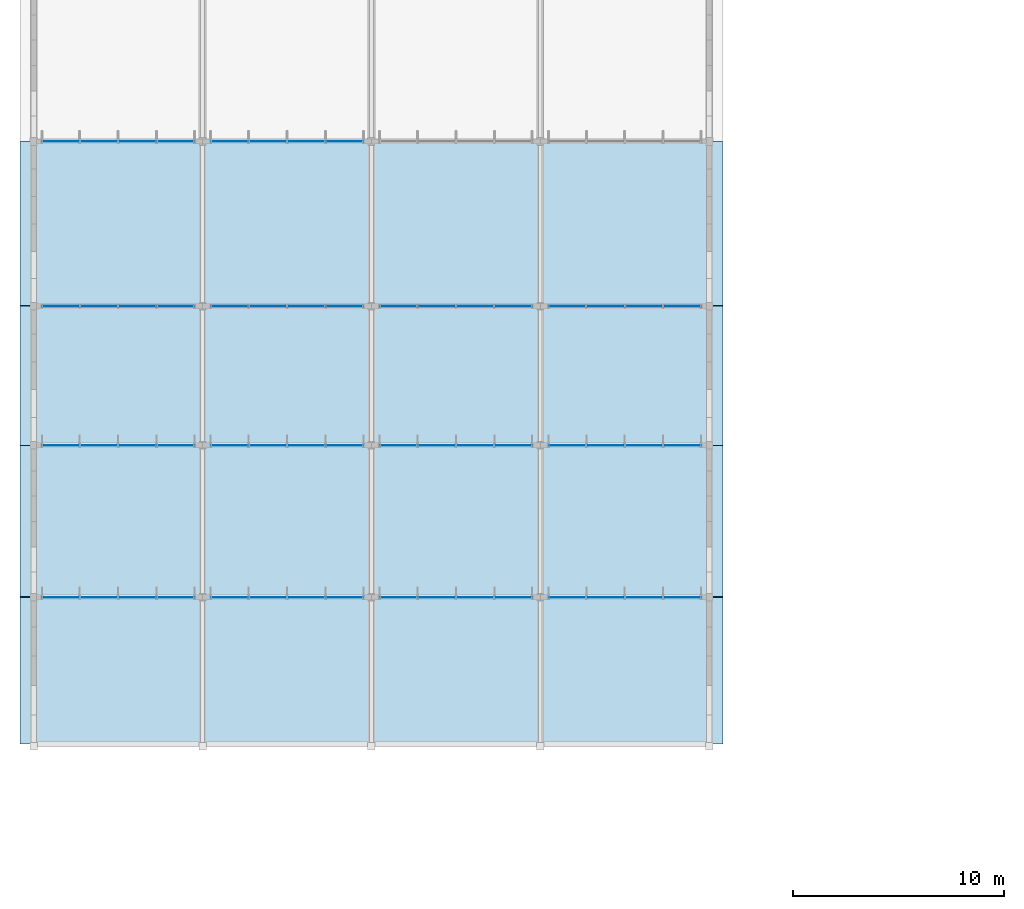
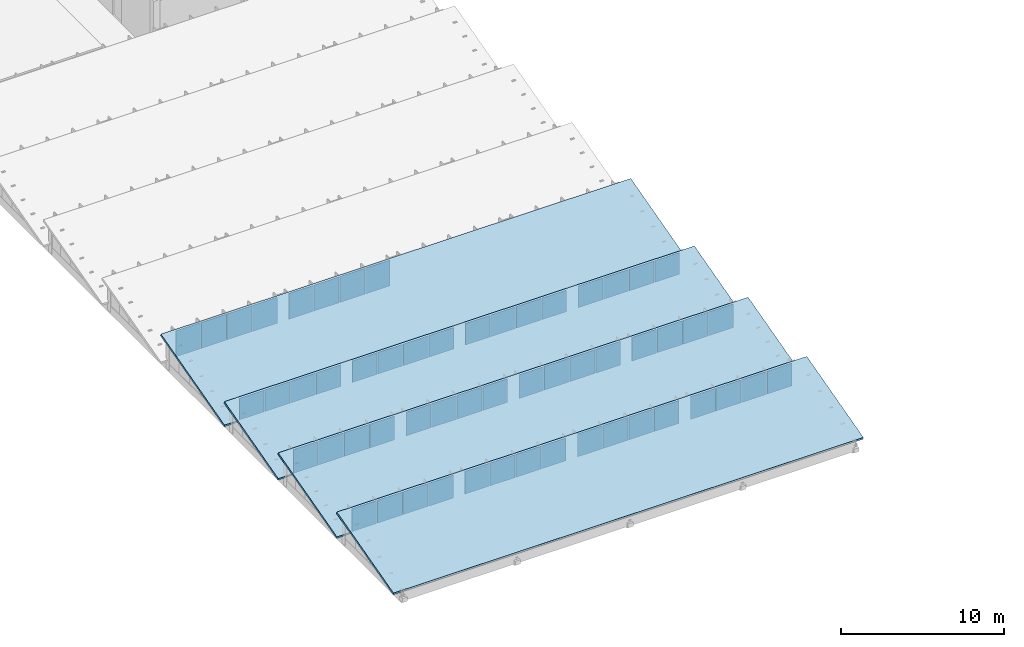
# One storey, part 71 of 94: 56 plates, 4 slabs, 14 elements without a shape of their own.
"""IFC4 building model written with IfcOpenShell, lengths in metres."""

from ifc_helpers import new_model, si_unit, direction, frame, origin, origin_2d, place, context, subcontext, project, spatial, polyline, rectangle, outline, extrude, material, layer, layer_set, type_object, element, aggregate, save


model = new_model("IFC4")

# Units and contexts
model_context = context("Model", 3, precision=1e-05, world=origin(), true_north=direction((0.0, 1.0)))
body_context = subcontext(model_context, "Body", "Model", "MODEL_VIEW")
ifc_project = project(units=[si_unit("LENGTHUNIT", "METRE"), si_unit("AREAUNIT", "SQUARE_METRE"), si_unit("VOLUMEUNIT", "CUBIC_METRE"), si_unit("PLANEANGLEUNIT", "RADIAN"), si_unit("MASSUNIT", "GRAM", prefix="KILO")], contexts=[model_context])

# Site, building, storey
site_placement = place(None, origin())
site = spatial("IfcSite", under=ifc_project, at=site_placement, CompositionType="ELEMENT")
building_placement = place(site_placement, origin())
building = spatial("IfcBuilding", under=site, at=building_placement, Name="Chiffa Square Polytechnic", CompositionType="ELEMENT")
storey_placement = place(building_placement, frame((0.0, 0.0, 18.0)))
storey = spatial("IfcBuildingStorey", under=building, at=storey_placement, Name="L04", CompositionType="ELEMENT", Elevation=18.0)

# Curtain wall, plates
ifc_material_1 = material(Name="Aluminium EN AW-6060 T66 and glulam shading", Category="wood")
curtain_wall_type_1 = type_object("IfcCurtainWallType", Name="CW-VERT-450X380", PredefinedType="USERDEFINED", material=ifc_material_1)
curtain_wall_1_placement = place(storey_placement, origin())
curtain_wall_1 = element("IfcCurtainWall", 1, at=curtain_wall_1_placement, inside=storey, type_object=curtain_wall_type_1, Name="Curtain wall CW-V6-SAW1-1", ObjectType="CURTAIN WALL", PredefinedType="USERDEFINED")
ifc_material_2 = material(Name="Double glazing", Category="glass")
ifc_layer_1 = layer(ifc_material_2, 0.035888671875, Name="Double glazing")
ifc_layer_set_1 = layer_set([ifc_layer_1], Name="Double glazing")
plate_type = type_object("IfcPlateType", Name="CWP-GLZ-150X145", PredefinedType="CURTAIN_PANEL", material=ifc_layer_set_1)
plate_1_placement = place(storey_placement, frame((6.718994140625, 43.800048828125, 0.75), z_axis=(0.0, 0.0, 1.0), x_axis=(-1.0, 0.0, 0.0)))
plate_1 = element("IfcPlate", 2, at=plate_1_placement, type_object=plate_type, Name="Glazed curtain panel CW-V6-SAW1-1-PN01", PredefinedType="CURTAIN_PANEL", context=body_context, shape_type="SweptSolid", body=[
    extrude(rectangle(XDim=1.74609375, YDim=0.035888671875, at=origin_2d()), origin(), (0.0, 0.0, 1.0), 1.7119140625),
])
plate_2_placement = place(storey_placement, frame((4.909912109375, 43.800048828125, 0.75), z_axis=(0.0, 0.0, 1.0), x_axis=(-1.0, 0.0, 0.0)))
plate_2 = element("IfcPlate", 3, at=plate_2_placement, type_object=plate_type, Name="Glazed curtain panel CW-V6-SAW1-1-PN02", PredefinedType="CURTAIN_PANEL", context=body_context, shape_type="SweptSolid", body=[
    extrude(rectangle(XDim=1.76806640625, YDim=0.035888671875, at=origin_2d()), origin(), (0.0, 0.0, 1.0), 1.7119140625),
])
plate_3_placement = place(storey_placement, frame((3.090087890625, 43.800048828125, 0.75), z_axis=(0.0, 0.0, 1.0), x_axis=(-1.0, 0.0, 0.0)))
plate_3 = element("IfcPlate", 4, at=plate_3_placement, type_object=plate_type, Name="Glazed curtain panel CW-V6-SAW1-1-PN03", PredefinedType="CURTAIN_PANEL", context=body_context, shape_type="SweptSolid", body=[
    extrude(rectangle(XDim=1.76806640625, YDim=0.035888671875, at=origin_2d()), origin(), (0.0, 0.0, 1.0), 1.7119140625),
])
plate_4_placement = place(storey_placement, frame((1.281005859375, 43.800048828125, 0.75), z_axis=(0.0, 0.0, 1.0), x_axis=(-1.0, 0.0, 0.0)))
plate_4 = element("IfcPlate", 5, at=plate_4_placement, type_object=plate_type, Name="Glazed curtain panel CW-V6-SAW1-1-PN04", PredefinedType="CURTAIN_PANEL", context=body_context, shape_type="SweptSolid", body=[
    extrude(rectangle(XDim=1.74609375, YDim=0.035888671875, at=origin_2d()), origin(), (0.0, 0.0, 1.0), 1.7119140625),
])
aggregate(curtain_wall_1, [plate_1, plate_2, plate_3, plate_4])

curtain_wall_type_2 = type_object("IfcCurtainWallType", Name="CW-VERT-300X380", PredefinedType="USERDEFINED", material=ifc_material_1)
curtain_wall_2_placement = place(storey_placement, origin())
curtain_wall_2 = element("IfcCurtainWall", 6, at=curtain_wall_2_placement, inside=storey, type_object=curtain_wall_type_2, Name="Curtain wall CW-V6-SAW1-2", ObjectType="CURTAIN WALL", PredefinedType="USERDEFINED")
plate_5_placement = place(storey_placement, frame((14.718994140625, 43.800048828125, 0.75), z_axis=(0.0, 0.0, 1.0), x_axis=(-1.0, 0.0, 0.0)))
plate_5 = element("IfcPlate", 7, at=plate_5_placement, type_object=plate_type, Name="Glazed curtain panel CW-V6-SAW1-2-PN01", PredefinedType="CURTAIN_PANEL", context=body_context, shape_type="SweptSolid", body=[
    extrude(rectangle(XDim=1.74609375, YDim=0.035888671875, at=origin_2d()), origin(), (0.0, 0.0, 1.0), 1.7119140625),
])
plate_6_placement = place(storey_placement, frame((12.909912109375, 43.800048828125, 0.75), z_axis=(0.0, 0.0, 1.0), x_axis=(-1.0, 0.0, 0.0)))
plate_6 = element("IfcPlate", 8, at=plate_6_placement, type_object=plate_type, Name="Glazed curtain panel CW-V6-SAW1-2-PN02", PredefinedType="CURTAIN_PANEL", context=body_context, shape_type="SweptSolid", body=[
    extrude(rectangle(XDim=1.76806640625, YDim=0.035888671875, at=origin_2d()), origin(), (0.0, 0.0, 1.0), 1.7119140625),
])
plate_7_placement = place(storey_placement, frame((11.090087890625, 43.800048828125, 0.75), z_axis=(0.0, 0.0, 1.0), x_axis=(-1.0, 0.0, 0.0)))
plate_7 = element("IfcPlate", 9, at=plate_7_placement, type_object=plate_type, Name="Glazed curtain panel CW-V6-SAW1-2-PN03", PredefinedType="CURTAIN_PANEL", context=body_context, shape_type="SweptSolid", body=[
    extrude(rectangle(XDim=1.76806640625, YDim=0.035888671875, at=origin_2d()), origin(), (0.0, 0.0, 1.0), 1.7119140625),
])
plate_8_placement = place(storey_placement, frame((9.281005859375, 43.800048828125, 0.75), z_axis=(0.0, 0.0, 1.0), x_axis=(-1.0, 0.0, 0.0)))
plate_8 = element("IfcPlate", 10, at=plate_8_placement, type_object=plate_type, Name="Glazed curtain panel CW-V6-SAW1-2-PN04", PredefinedType="CURTAIN_PANEL", context=body_context, shape_type="SweptSolid", body=[
    extrude(rectangle(XDim=1.74609375, YDim=0.035888671875, at=origin_2d()), origin(), (0.0, 0.0, 1.0), 1.7119140625),
])
aggregate(curtain_wall_2, [plate_5, plate_6, plate_7, plate_8])

curtain_wall_type_3 = type_object("IfcCurtainWallType", Name="CW-VERT-600X380", PredefinedType="USERDEFINED", material=ifc_material_1)
curtain_wall_3_placement = place(storey_placement, origin())
curtain_wall_3 = element("IfcCurtainWall", 11, at=curtain_wall_3_placement, inside=storey, type_object=curtain_wall_type_3, Name="Curtain wall CW-V6-SAW1-3", ObjectType="CURTAIN WALL", PredefinedType="USERDEFINED")
plate_9_placement = place(storey_placement, frame((22.718994140625, 43.800048828125, 0.75), z_axis=(0.0, 0.0, 1.0), x_axis=(-1.0, 0.0, 0.0)))
plate_9 = element("IfcPlate", 12, at=plate_9_placement, type_object=plate_type, Name="Glazed curtain panel CW-V6-SAW1-3-PN01", PredefinedType="CURTAIN_PANEL", context=body_context, shape_type="SweptSolid", body=[
    extrude(rectangle(XDim=1.74609375, YDim=0.035888671875, at=origin_2d()), origin(), (0.0, 0.0, 1.0), 1.7119140625),
])
plate_10_placement = place(storey_placement, frame((20.909912109375, 43.800048828125, 0.75), z_axis=(0.0, 0.0, 1.0), x_axis=(-1.0, 0.0, 0.0)))
plate_10 = element("IfcPlate", 13, at=plate_10_placement, type_object=plate_type, Name="Glazed curtain panel CW-V6-SAW1-3-PN02", PredefinedType="CURTAIN_PANEL", context=body_context, shape_type="SweptSolid", body=[
    extrude(rectangle(XDim=1.76806640625, YDim=0.035888671875, at=origin_2d()), origin(), (0.0, 0.0, 1.0), 1.7119140625),
])
plate_11_placement = place(storey_placement, frame((19.090087890625, 43.800048828125, 0.75), z_axis=(0.0, 0.0, 1.0), x_axis=(-1.0, 0.0, 0.0)))
plate_11 = element("IfcPlate", 14, at=plate_11_placement, type_object=plate_type, Name="Glazed curtain panel CW-V6-SAW1-3-PN03", PredefinedType="CURTAIN_PANEL", context=body_context, shape_type="SweptSolid", body=[
    extrude(rectangle(XDim=1.76806640625, YDim=0.035888671875, at=origin_2d()), origin(), (0.0, 0.0, 1.0), 1.7119140625),
])
plate_12_placement = place(storey_placement, frame((17.281005859375, 43.800048828125, 0.75), z_axis=(0.0, 0.0, 1.0), x_axis=(-1.0, 0.0, 0.0)))
plate_12 = element("IfcPlate", 15, at=plate_12_placement, type_object=plate_type, Name="Glazed curtain panel CW-V6-SAW1-3-PN04", PredefinedType="CURTAIN_PANEL", context=body_context, shape_type="SweptSolid", body=[
    extrude(rectangle(XDim=1.74609375, YDim=0.035888671875, at=origin_2d()), origin(), (0.0, 0.0, 1.0), 1.7119140625),
])
aggregate(curtain_wall_3, [plate_9, plate_10, plate_11, plate_12])

curtain_wall_type_4 = type_object("IfcCurtainWallType", Name="CW-VERT-360X380", PredefinedType="USERDEFINED", material=ifc_material_1)
curtain_wall_4_placement = place(storey_placement, origin())
curtain_wall_4 = element("IfcCurtainWall", 16, at=curtain_wall_4_placement, inside=storey, type_object=curtain_wall_type_4, Name="Curtain wall CW-V6-SAW1-4", ObjectType="CURTAIN WALL", PredefinedType="USERDEFINED")
plate_13_placement = place(storey_placement, frame((30.718994140625, 43.800048828125, 0.75), z_axis=(0.0, 0.0, 1.0), x_axis=(-1.0, 0.0, 0.0)))
plate_13 = element("IfcPlate", 17, at=plate_13_placement, type_object=plate_type, Name="Glazed curtain panel CW-V6-SAW1-4-PN01", PredefinedType="CURTAIN_PANEL", context=body_context, shape_type="SweptSolid", body=[
    extrude(rectangle(XDim=1.74609375, YDim=0.035888671875, at=origin_2d()), origin(), (0.0, 0.0, 1.0), 1.7119140625),
])
plate_14_placement = place(storey_placement, frame((28.909912109375, 43.800048828125, 0.75), z_axis=(0.0, 0.0, 1.0), x_axis=(-1.0, 0.0, 0.0)))
plate_14 = element("IfcPlate", 18, at=plate_14_placement, type_object=plate_type, Name="Glazed curtain panel CW-V6-SAW1-4-PN02", PredefinedType="CURTAIN_PANEL", context=body_context, shape_type="SweptSolid", body=[
    extrude(rectangle(XDim=1.76806640625, YDim=0.035888671875, at=origin_2d()), origin(), (0.0, 0.0, 1.0), 1.7119140625),
])
plate_15_placement = place(storey_placement, frame((27.090087890625, 43.800048828125, 0.75), z_axis=(0.0, 0.0, 1.0), x_axis=(-1.0, 0.0, 0.0)))
plate_15 = element("IfcPlate", 19, at=plate_15_placement, type_object=plate_type, Name="Glazed curtain panel CW-V6-SAW1-4-PN03", PredefinedType="CURTAIN_PANEL", context=body_context, shape_type="SweptSolid", body=[
    extrude(rectangle(XDim=1.76806640625, YDim=0.035888671875, at=origin_2d()), origin(), (0.0, 0.0, 1.0), 1.7119140625),
])
plate_16_placement = place(storey_placement, frame((25.281005859375, 43.800048828125, 0.75), z_axis=(0.0, 0.0, 1.0), x_axis=(-1.0, 0.0, 0.0)))
plate_16 = element("IfcPlate", 20, at=plate_16_placement, type_object=plate_type, Name="Glazed curtain panel CW-V6-SAW1-4-PN04", PredefinedType="CURTAIN_PANEL", context=body_context, shape_type="SweptSolid", body=[
    extrude(rectangle(XDim=1.74609375, YDim=0.035888671875, at=origin_2d()), origin(), (0.0, 0.0, 1.0), 1.7119140625),
])
aggregate(curtain_wall_4, [plate_13, plate_14, plate_15, plate_16])

curtain_wall_5_placement = place(storey_placement, origin())
curtain_wall_5 = element("IfcCurtainWall", 21, at=curtain_wall_5_placement, inside=storey, type_object=curtain_wall_type_2, Name="Curtain wall CW-V6-SAW2-1", ObjectType="CURTAIN WALL", PredefinedType="USERDEFINED")
plate_17_placement = place(storey_placement, frame((6.718994140625, 51.0, 0.74951171875), z_axis=(0.0, 0.0, 1.0), x_axis=(-1.0, 0.0, 0.0)))
plate_17 = element("IfcPlate", 22, at=plate_17_placement, type_object=plate_type, Name="Glazed curtain panel CW-V6-SAW2-1-PN01", PredefinedType="CURTAIN_PANEL", context=body_context, shape_type="SweptSolid", body=[
    extrude(rectangle(XDim=1.74609375, YDim=0.035888671875, at=origin_2d()), origin(), (0.0, 0.0, 1.0), 1.779052734375),
])
plate_18_placement = place(storey_placement, frame((4.909912109375, 51.0, 0.74951171875), z_axis=(0.0, 0.0, 1.0), x_axis=(-1.0, 0.0, 0.0)))
plate_18 = element("IfcPlate", 23, at=plate_18_placement, type_object=plate_type, Name="Glazed curtain panel CW-V6-SAW2-1-PN02", PredefinedType="CURTAIN_PANEL", context=body_context, shape_type="SweptSolid", body=[
    extrude(rectangle(XDim=1.76806640625, YDim=0.035888671875, at=origin_2d()), origin(), (0.0, 0.0, 1.0), 1.779052734375),
])
plate_19_placement = place(storey_placement, frame((3.090087890625, 51.0, 0.74951171875), z_axis=(0.0, 0.0, 1.0), x_axis=(-1.0, 0.0, 0.0)))
plate_19 = element("IfcPlate", 24, at=plate_19_placement, type_object=plate_type, Name="Glazed curtain panel CW-V6-SAW2-1-PN03", PredefinedType="CURTAIN_PANEL", context=body_context, shape_type="SweptSolid", body=[
    extrude(rectangle(XDim=1.76806640625, YDim=0.035888671875, at=origin_2d()), origin(), (0.0, 0.0, 1.0), 1.779052734375),
])
plate_20_placement = place(storey_placement, frame((1.281005859375, 51.0, 0.74951171875), z_axis=(0.0, 0.0, 1.0), x_axis=(-1.0, 0.0, 0.0)))
plate_20 = element("IfcPlate", 25, at=plate_20_placement, type_object=plate_type, Name="Glazed curtain panel CW-V6-SAW2-1-PN04", PredefinedType="CURTAIN_PANEL", context=body_context, shape_type="SweptSolid", body=[
    extrude(rectangle(XDim=1.74609375, YDim=0.035888671875, at=origin_2d()), origin(), (0.0, 0.0, 1.0), 1.779052734375),
])
aggregate(curtain_wall_5, [plate_17, plate_18, plate_19, plate_20])

curtain_wall_6_placement = place(storey_placement, origin())
curtain_wall_6 = element("IfcCurtainWall", 26, at=curtain_wall_6_placement, inside=storey, type_object=curtain_wall_type_3, Name="Curtain wall CW-V6-SAW2-2", ObjectType="CURTAIN WALL", PredefinedType="USERDEFINED")
plate_21_placement = place(storey_placement, frame((14.718994140625, 51.0, 0.74951171875), z_axis=(0.0, 0.0, 1.0), x_axis=(-1.0, 0.0, 0.0)))
plate_21 = element("IfcPlate", 27, at=plate_21_placement, type_object=plate_type, Name="Glazed curtain panel CW-V6-SAW2-2-PN01", PredefinedType="CURTAIN_PANEL", context=body_context, shape_type="SweptSolid", body=[
    extrude(rectangle(XDim=1.74609375, YDim=0.035888671875, at=origin_2d()), origin(), (0.0, 0.0, 1.0), 1.779052734375),
])
plate_22_placement = place(storey_placement, frame((12.909912109375, 51.0, 0.74951171875), z_axis=(0.0, 0.0, 1.0), x_axis=(-1.0, 0.0, 0.0)))
plate_22 = element("IfcPlate", 28, at=plate_22_placement, type_object=plate_type, Name="Glazed curtain panel CW-V6-SAW2-2-PN02", PredefinedType="CURTAIN_PANEL", context=body_context, shape_type="SweptSolid", body=[
    extrude(rectangle(XDim=1.76806640625, YDim=0.035888671875, at=origin_2d()), origin(), (0.0, 0.0, 1.0), 1.779052734375),
])
plate_23_placement = place(storey_placement, frame((11.090087890625, 51.0, 0.74951171875), z_axis=(0.0, 0.0, 1.0), x_axis=(-1.0, 0.0, 0.0)))
plate_23 = element("IfcPlate", 29, at=plate_23_placement, type_object=plate_type, Name="Glazed curtain panel CW-V6-SAW2-2-PN03", PredefinedType="CURTAIN_PANEL", context=body_context, shape_type="SweptSolid", body=[
    extrude(rectangle(XDim=1.76806640625, YDim=0.035888671875, at=origin_2d()), origin(), (0.0, 0.0, 1.0), 1.779052734375),
])
plate_24_placement = place(storey_placement, frame((9.281005859375, 51.0, 0.74951171875), z_axis=(0.0, 0.0, 1.0), x_axis=(-1.0, 0.0, 0.0)))
plate_24 = element("IfcPlate", 30, at=plate_24_placement, type_object=plate_type, Name="Glazed curtain panel CW-V6-SAW2-2-PN04", PredefinedType="CURTAIN_PANEL", context=body_context, shape_type="SweptSolid", body=[
    extrude(rectangle(XDim=1.74609375, YDim=0.035888671875, at=origin_2d()), origin(), (0.0, 0.0, 1.0), 1.779052734375),
])
aggregate(curtain_wall_6, [plate_21, plate_22, plate_23, plate_24])

curtain_wall_7_placement = place(storey_placement, origin())
curtain_wall_7 = element("IfcCurtainWall", 31, at=curtain_wall_7_placement, inside=storey, type_object=curtain_wall_type_4, Name="Curtain wall CW-V6-SAW2-3", ObjectType="CURTAIN WALL", PredefinedType="USERDEFINED")
plate_25_placement = place(storey_placement, frame((22.718994140625, 51.0, 0.74951171875), z_axis=(0.0, 0.0, 1.0), x_axis=(-1.0, 0.0, 0.0)))
plate_25 = element("IfcPlate", 32, at=plate_25_placement, type_object=plate_type, Name="Glazed curtain panel CW-V6-SAW2-3-PN01", PredefinedType="CURTAIN_PANEL", context=body_context, shape_type="SweptSolid", body=[
    extrude(rectangle(XDim=1.74609375, YDim=0.035888671875, at=origin_2d()), origin(), (0.0, 0.0, 1.0), 1.779052734375),
])
plate_26_placement = place(storey_placement, frame((20.909912109375, 51.0, 0.74951171875), z_axis=(0.0, 0.0, 1.0), x_axis=(-1.0, 0.0, 0.0)))
plate_26 = element("IfcPlate", 33, at=plate_26_placement, type_object=plate_type, Name="Glazed curtain panel CW-V6-SAW2-3-PN02", PredefinedType="CURTAIN_PANEL", context=body_context, shape_type="SweptSolid", body=[
    extrude(rectangle(XDim=1.76806640625, YDim=0.035888671875, at=origin_2d()), origin(), (0.0, 0.0, 1.0), 1.779052734375),
])
plate_27_placement = place(storey_placement, frame((19.090087890625, 51.0, 0.74951171875), z_axis=(0.0, 0.0, 1.0), x_axis=(-1.0, 0.0, 0.0)))
plate_27 = element("IfcPlate", 34, at=plate_27_placement, type_object=plate_type, Name="Glazed curtain panel CW-V6-SAW2-3-PN03", PredefinedType="CURTAIN_PANEL", context=body_context, shape_type="SweptSolid", body=[
    extrude(rectangle(XDim=1.76806640625, YDim=0.035888671875, at=origin_2d()), origin(), (0.0, 0.0, 1.0), 1.779052734375),
])
plate_28_placement = place(storey_placement, frame((17.281005859375, 51.0, 0.74951171875), z_axis=(0.0, 0.0, 1.0), x_axis=(-1.0, 0.0, 0.0)))
plate_28 = element("IfcPlate", 35, at=plate_28_placement, type_object=plate_type, Name="Glazed curtain panel CW-V6-SAW2-3-PN04", PredefinedType="CURTAIN_PANEL", context=body_context, shape_type="SweptSolid", body=[
    extrude(rectangle(XDim=1.74609375, YDim=0.035888671875, at=origin_2d()), origin(), (0.0, 0.0, 1.0), 1.779052734375),
])
aggregate(curtain_wall_7, [plate_25, plate_26, plate_27, plate_28])

curtain_wall_type_5 = type_object("IfcCurtainWallType", Name="CW-VERT-480X380", PredefinedType="USERDEFINED", material=ifc_material_1)
curtain_wall_8_placement = place(storey_placement, origin())
curtain_wall_8 = element("IfcCurtainWall", 36, at=curtain_wall_8_placement, inside=storey, type_object=curtain_wall_type_5, Name="Curtain wall CW-V6-SAW2-4", ObjectType="CURTAIN WALL", PredefinedType="USERDEFINED")
plate_29_placement = place(storey_placement, frame((30.718994140625, 51.0, 0.74951171875), z_axis=(0.0, 0.0, 1.0), x_axis=(-1.0, 0.0, 0.0)))
plate_29 = element("IfcPlate", 37, at=plate_29_placement, type_object=plate_type, Name="Glazed curtain panel CW-V6-SAW2-4-PN01", PredefinedType="CURTAIN_PANEL", context=body_context, shape_type="SweptSolid", body=[
    extrude(rectangle(XDim=1.74609375, YDim=0.035888671875, at=origin_2d()), origin(), (0.0, 0.0, 1.0), 1.779052734375),
])
plate_30_placement = place(storey_placement, frame((28.909912109375, 51.0, 0.74951171875), z_axis=(0.0, 0.0, 1.0), x_axis=(-1.0, 0.0, 0.0)))
plate_30 = element("IfcPlate", 38, at=plate_30_placement, type_object=plate_type, Name="Glazed curtain panel CW-V6-SAW2-4-PN02", PredefinedType="CURTAIN_PANEL", context=body_context, shape_type="SweptSolid", body=[
    extrude(rectangle(XDim=1.76806640625, YDim=0.035888671875, at=origin_2d()), origin(), (0.0, 0.0, 1.0), 1.779052734375),
])
plate_31_placement = place(storey_placement, frame((27.090087890625, 51.0, 0.74951171875), z_axis=(0.0, 0.0, 1.0), x_axis=(-1.0, 0.0, 0.0)))
plate_31 = element("IfcPlate", 39, at=plate_31_placement, type_object=plate_type, Name="Glazed curtain panel CW-V6-SAW2-4-PN03", PredefinedType="CURTAIN_PANEL", context=body_context, shape_type="SweptSolid", body=[
    extrude(rectangle(XDim=1.76806640625, YDim=0.035888671875, at=origin_2d()), origin(), (0.0, 0.0, 1.0), 1.779052734375),
])
plate_32_placement = place(storey_placement, frame((25.281005859375, 51.0, 0.74951171875), z_axis=(0.0, 0.0, 1.0), x_axis=(-1.0, 0.0, 0.0)))
plate_32 = element("IfcPlate", 40, at=plate_32_placement, type_object=plate_type, Name="Glazed curtain panel CW-V6-SAW2-4-PN04", PredefinedType="CURTAIN_PANEL", context=body_context, shape_type="SweptSolid", body=[
    extrude(rectangle(XDim=1.74609375, YDim=0.035888671875, at=origin_2d()), origin(), (0.0, 0.0, 1.0), 1.779052734375),
])
aggregate(curtain_wall_8, [plate_29, plate_30, plate_31, plate_32])

curtain_wall_9_placement = place(storey_placement, origin())
curtain_wall_9 = element("IfcCurtainWall", 41, at=curtain_wall_9_placement, inside=storey, type_object=curtain_wall_type_3, Name="Curtain wall CW-V6-SAW3-1", ObjectType="CURTAIN WALL", PredefinedType="USERDEFINED")
plate_33_placement = place(storey_placement, frame((6.718994140625, 57.60009765625, 0.75), z_axis=(0.0, 0.0, 1.0), x_axis=(-1.0, 0.0, 0.0)))
plate_33 = element("IfcPlate", 42, at=plate_33_placement, type_object=plate_type, Name="Glazed curtain panel CW-V6-SAW3-1-PN01", PredefinedType="CURTAIN_PANEL", context=body_context, shape_type="SweptSolid", body=[
    extrude(rectangle(XDim=1.74609375, YDim=0.035888671875, at=origin_2d()), origin(), (0.0, 0.0, 1.0), 1.617919921875),
])
plate_34_placement = place(storey_placement, frame((4.909912109375, 57.60009765625, 0.75), z_axis=(0.0, 0.0, 1.0), x_axis=(-1.0, 0.0, 0.0)))
plate_34 = element("IfcPlate", 43, at=plate_34_placement, type_object=plate_type, Name="Glazed curtain panel CW-V6-SAW3-1-PN02", PredefinedType="CURTAIN_PANEL", context=body_context, shape_type="SweptSolid", body=[
    extrude(rectangle(XDim=1.76806640625, YDim=0.035888671875, at=origin_2d()), origin(), (0.0, 0.0, 1.0), 1.617919921875),
])
plate_35_placement = place(storey_placement, frame((3.090087890625, 57.60009765625, 0.75), z_axis=(0.0, 0.0, 1.0), x_axis=(-1.0, 0.0, 0.0)))
plate_35 = element("IfcPlate", 44, at=plate_35_placement, type_object=plate_type, Name="Glazed curtain panel CW-V6-SAW3-1-PN03", PredefinedType="CURTAIN_PANEL", context=body_context, shape_type="SweptSolid", body=[
    extrude(rectangle(XDim=1.76806640625, YDim=0.035888671875, at=origin_2d()), origin(), (0.0, 0.0, 1.0), 1.617919921875),
])
plate_36_placement = place(storey_placement, frame((1.281005859375, 57.60009765625, 0.75), z_axis=(0.0, 0.0, 1.0), x_axis=(-1.0, 0.0, 0.0)))
plate_36 = element("IfcPlate", 45, at=plate_36_placement, type_object=plate_type, Name="Glazed curtain panel CW-V6-SAW3-1-PN04", PredefinedType="CURTAIN_PANEL", context=body_context, shape_type="SweptSolid", body=[
    extrude(rectangle(XDim=1.74609375, YDim=0.035888671875, at=origin_2d()), origin(), (0.0, 0.0, 1.0), 1.617919921875),
])
aggregate(curtain_wall_9, [plate_33, plate_34, plate_35, plate_36])

curtain_wall_10_placement = place(storey_placement, origin())
curtain_wall_10 = element("IfcCurtainWall", 46, at=curtain_wall_10_placement, inside=storey, type_object=curtain_wall_type_4, Name="Curtain wall CW-V6-SAW3-2", ObjectType="CURTAIN WALL", PredefinedType="USERDEFINED")
plate_37_placement = place(storey_placement, frame((14.718994140625, 57.60009765625, 0.75), z_axis=(0.0, 0.0, 1.0), x_axis=(-1.0, 0.0, 0.0)))
plate_37 = element("IfcPlate", 47, at=plate_37_placement, type_object=plate_type, Name="Glazed curtain panel CW-V6-SAW3-2-PN01", PredefinedType="CURTAIN_PANEL", context=body_context, shape_type="SweptSolid", body=[
    extrude(rectangle(XDim=1.74609375, YDim=0.035888671875, at=origin_2d()), origin(), (0.0, 0.0, 1.0), 1.617919921875),
])
plate_38_placement = place(storey_placement, frame((12.909912109375, 57.60009765625, 0.75), z_axis=(0.0, 0.0, 1.0), x_axis=(-1.0, 0.0, 0.0)))
plate_38 = element("IfcPlate", 48, at=plate_38_placement, type_object=plate_type, Name="Glazed curtain panel CW-V6-SAW3-2-PN02", PredefinedType="CURTAIN_PANEL", context=body_context, shape_type="SweptSolid", body=[
    extrude(rectangle(XDim=1.76806640625, YDim=0.035888671875, at=origin_2d()), origin(), (0.0, 0.0, 1.0), 1.617919921875),
])
plate_39_placement = place(storey_placement, frame((11.090087890625, 57.60009765625, 0.75), z_axis=(0.0, 0.0, 1.0), x_axis=(-1.0, 0.0, 0.0)))
plate_39 = element("IfcPlate", 49, at=plate_39_placement, type_object=plate_type, Name="Glazed curtain panel CW-V6-SAW3-2-PN03", PredefinedType="CURTAIN_PANEL", context=body_context, shape_type="SweptSolid", body=[
    extrude(rectangle(XDim=1.76806640625, YDim=0.035888671875, at=origin_2d()), origin(), (0.0, 0.0, 1.0), 1.617919921875),
])
plate_40_placement = place(storey_placement, frame((9.281005859375, 57.60009765625, 0.75), z_axis=(0.0, 0.0, 1.0), x_axis=(-1.0, 0.0, 0.0)))
plate_40 = element("IfcPlate", 50, at=plate_40_placement, type_object=plate_type, Name="Glazed curtain panel CW-V6-SAW3-2-PN04", PredefinedType="CURTAIN_PANEL", context=body_context, shape_type="SweptSolid", body=[
    extrude(rectangle(XDim=1.74609375, YDim=0.035888671875, at=origin_2d()), origin(), (0.0, 0.0, 1.0), 1.617919921875),
])
aggregate(curtain_wall_10, [plate_37, plate_38, plate_39, plate_40])

curtain_wall_11_placement = place(storey_placement, origin())
curtain_wall_11 = element("IfcCurtainWall", 51, at=curtain_wall_11_placement, inside=storey, type_object=curtain_wall_type_5, Name="Curtain wall CW-V6-SAW3-3", ObjectType="CURTAIN WALL", PredefinedType="USERDEFINED")
plate_41_placement = place(storey_placement, frame((22.718994140625, 57.60009765625, 0.75), z_axis=(0.0, 0.0, 1.0), x_axis=(-1.0, 0.0, 0.0)))
plate_41 = element("IfcPlate", 52, at=plate_41_placement, type_object=plate_type, Name="Glazed curtain panel CW-V6-SAW3-3-PN01", PredefinedType="CURTAIN_PANEL", context=body_context, shape_type="SweptSolid", body=[
    extrude(rectangle(XDim=1.74609375, YDim=0.035888671875, at=origin_2d()), origin(), (0.0, 0.0, 1.0), 1.617919921875),
])
plate_42_placement = place(storey_placement, frame((20.909912109375, 57.60009765625, 0.75), z_axis=(0.0, 0.0, 1.0), x_axis=(-1.0, 0.0, 0.0)))
plate_42 = element("IfcPlate", 53, at=plate_42_placement, type_object=plate_type, Name="Glazed curtain panel CW-V6-SAW3-3-PN02", PredefinedType="CURTAIN_PANEL", context=body_context, shape_type="SweptSolid", body=[
    extrude(rectangle(XDim=1.76806640625, YDim=0.035888671875, at=origin_2d()), origin(), (0.0, 0.0, 1.0), 1.617919921875),
])
plate_43_placement = place(storey_placement, frame((19.090087890625, 57.60009765625, 0.75), z_axis=(0.0, 0.0, 1.0), x_axis=(-1.0, 0.0, 0.0)))
plate_43 = element("IfcPlate", 54, at=plate_43_placement, type_object=plate_type, Name="Glazed curtain panel CW-V6-SAW3-3-PN03", PredefinedType="CURTAIN_PANEL", context=body_context, shape_type="SweptSolid", body=[
    extrude(rectangle(XDim=1.76806640625, YDim=0.035888671875, at=origin_2d()), origin(), (0.0, 0.0, 1.0), 1.617919921875),
])
plate_44_placement = place(storey_placement, frame((17.281005859375, 57.60009765625, 0.75), z_axis=(0.0, 0.0, 1.0), x_axis=(-1.0, 0.0, 0.0)))
plate_44 = element("IfcPlate", 55, at=plate_44_placement, type_object=plate_type, Name="Glazed curtain panel CW-V6-SAW3-3-PN04", PredefinedType="CURTAIN_PANEL", context=body_context, shape_type="SweptSolid", body=[
    extrude(rectangle(XDim=1.74609375, YDim=0.035888671875, at=origin_2d()), origin(), (0.0, 0.0, 1.0), 1.617919921875),
])
aggregate(curtain_wall_11, [plate_41, plate_42, plate_43, plate_44])

curtain_wall_type_6 = type_object("IfcCurtainWallType", Name="CW-VERT-540X440", PredefinedType="USERDEFINED", material=ifc_material_1)
curtain_wall_12_placement = place(storey_placement, origin())
curtain_wall_12 = element("IfcCurtainWall", 56, at=curtain_wall_12_placement, inside=storey, type_object=curtain_wall_type_6, Name="Curtain wall CW-V6-SAW3-4", ObjectType="CURTAIN WALL", PredefinedType="USERDEFINED")
plate_45_placement = place(storey_placement, frame((30.718994140625, 57.60009765625, 0.75), z_axis=(0.0, 0.0, 1.0), x_axis=(-1.0, 0.0, 0.0)))
plate_45 = element("IfcPlate", 57, at=plate_45_placement, type_object=plate_type, Name="Glazed curtain panel CW-V6-SAW3-4-PN01", PredefinedType="CURTAIN_PANEL", context=body_context, shape_type="SweptSolid", body=[
    extrude(rectangle(XDim=1.74609375, YDim=0.035888671875, at=origin_2d()), origin(), (0.0, 0.0, 1.0), 1.617919921875),
])
plate_46_placement = place(storey_placement, frame((28.909912109375, 57.60009765625, 0.75), z_axis=(0.0, 0.0, 1.0), x_axis=(-1.0, 0.0, 0.0)))
plate_46 = element("IfcPlate", 58, at=plate_46_placement, type_object=plate_type, Name="Glazed curtain panel CW-V6-SAW3-4-PN02", PredefinedType="CURTAIN_PANEL", context=body_context, shape_type="SweptSolid", body=[
    extrude(rectangle(XDim=1.76806640625, YDim=0.035888671875, at=origin_2d()), origin(), (0.0, 0.0, 1.0), 1.617919921875),
])
plate_47_placement = place(storey_placement, frame((27.090087890625, 57.60009765625, 0.75), z_axis=(0.0, 0.0, 1.0), x_axis=(-1.0, 0.0, 0.0)))
plate_47 = element("IfcPlate", 59, at=plate_47_placement, type_object=plate_type, Name="Glazed curtain panel CW-V6-SAW3-4-PN03", PredefinedType="CURTAIN_PANEL", context=body_context, shape_type="SweptSolid", body=[
    extrude(rectangle(XDim=1.76806640625, YDim=0.035888671875, at=origin_2d()), origin(), (0.0, 0.0, 1.0), 1.617919921875),
])
plate_48_placement = place(storey_placement, frame((25.281005859375, 57.60009765625, 0.75), z_axis=(0.0, 0.0, 1.0), x_axis=(-1.0, 0.0, 0.0)))
plate_48 = element("IfcPlate", 60, at=plate_48_placement, type_object=plate_type, Name="Glazed curtain panel CW-V6-SAW3-4-PN04", PredefinedType="CURTAIN_PANEL", context=body_context, shape_type="SweptSolid", body=[
    extrude(rectangle(XDim=1.74609375, YDim=0.035888671875, at=origin_2d()), origin(), (0.0, 0.0, 1.0), 1.617919921875),
])
aggregate(curtain_wall_12, [plate_45, plate_46, plate_47, plate_48])

curtain_wall_13_placement = place(storey_placement, origin())
curtain_wall_13 = element("IfcCurtainWall", 61, at=curtain_wall_13_placement, inside=storey, type_object=curtain_wall_type_4, Name="Curtain wall CW-V6-SAW4-1", ObjectType="CURTAIN WALL", PredefinedType="USERDEFINED")
plate_49_placement = place(storey_placement, frame((6.718994140625, 65.39990234375, 0.75), z_axis=(0.0, 0.0, 1.0), x_axis=(-1.0, 0.0, 0.0)))
plate_49 = element("IfcPlate", 62, at=plate_49_placement, type_object=plate_type, Name="Glazed curtain panel CW-V6-SAW4-1-PN01", PredefinedType="CURTAIN_PANEL", context=body_context, shape_type="SweptSolid", body=[
    extrude(rectangle(XDim=1.74609375, YDim=0.035888671875, at=origin_2d()), origin(), (0.0, 0.0, 1.0), 1.93994140625),
])
plate_50_placement = place(storey_placement, frame((4.909912109375, 65.39990234375, 0.75), z_axis=(0.0, 0.0, 1.0), x_axis=(-1.0, 0.0, 0.0)))
plate_50 = element("IfcPlate", 63, at=plate_50_placement, type_object=plate_type, Name="Glazed curtain panel CW-V6-SAW4-1-PN02", PredefinedType="CURTAIN_PANEL", context=body_context, shape_type="SweptSolid", body=[
    extrude(rectangle(XDim=1.76806640625, YDim=0.035888671875, at=origin_2d()), origin(), (0.0, 0.0, 1.0), 1.93994140625),
])
plate_51_placement = place(storey_placement, frame((3.090087890625, 65.39990234375, 0.75), z_axis=(0.0, 0.0, 1.0), x_axis=(-1.0, 0.0, 0.0)))
plate_51 = element("IfcPlate", 64, at=plate_51_placement, type_object=plate_type, Name="Glazed curtain panel CW-V6-SAW4-1-PN03", PredefinedType="CURTAIN_PANEL", context=body_context, shape_type="SweptSolid", body=[
    extrude(rectangle(XDim=1.76806640625, YDim=0.035888671875, at=origin_2d()), origin(), (0.0, 0.0, 1.0), 1.93994140625),
])
plate_52_placement = place(storey_placement, frame((1.281005859375, 65.39990234375, 0.75), z_axis=(0.0, 0.0, 1.0), x_axis=(-1.0, 0.0, 0.0)))
plate_52 = element("IfcPlate", 65, at=plate_52_placement, type_object=plate_type, Name="Glazed curtain panel CW-V6-SAW4-1-PN04", PredefinedType="CURTAIN_PANEL", context=body_context, shape_type="SweptSolid", body=[
    extrude(rectangle(XDim=1.74609375, YDim=0.035888671875, at=origin_2d()), origin(), (0.0, 0.0, 1.0), 1.93994140625),
])
aggregate(curtain_wall_13, [plate_49, plate_50, plate_51, plate_52])

curtain_wall_14_placement = place(storey_placement, origin())
curtain_wall_14 = element("IfcCurtainWall", 66, at=curtain_wall_14_placement, inside=storey, type_object=curtain_wall_type_5, Name="Curtain wall CW-V6-SAW4-2", ObjectType="CURTAIN WALL", PredefinedType="USERDEFINED")
plate_53_placement = place(storey_placement, frame((14.718994140625, 65.39990234375, 0.75), z_axis=(0.0, 0.0, 1.0), x_axis=(-1.0, 0.0, 0.0)))
plate_53 = element("IfcPlate", 67, at=plate_53_placement, type_object=plate_type, Name="Glazed curtain panel CW-V6-SAW4-2-PN01", PredefinedType="CURTAIN_PANEL", context=body_context, shape_type="SweptSolid", body=[
    extrude(rectangle(XDim=1.74609375, YDim=0.035888671875, at=origin_2d()), origin(), (0.0, 0.0, 1.0), 1.93994140625),
])
plate_54_placement = place(storey_placement, frame((12.909912109375, 65.39990234375, 0.75), z_axis=(0.0, 0.0, 1.0), x_axis=(-1.0, 0.0, 0.0)))
plate_54 = element("IfcPlate", 68, at=plate_54_placement, type_object=plate_type, Name="Glazed curtain panel CW-V6-SAW4-2-PN02", PredefinedType="CURTAIN_PANEL", context=body_context, shape_type="SweptSolid", body=[
    extrude(rectangle(XDim=1.76806640625, YDim=0.035888671875, at=origin_2d()), origin(), (0.0, 0.0, 1.0), 1.93994140625),
])
plate_55_placement = place(storey_placement, frame((11.090087890625, 65.39990234375, 0.75), z_axis=(0.0, 0.0, 1.0), x_axis=(-1.0, 0.0, 0.0)))
plate_55 = element("IfcPlate", 69, at=plate_55_placement, type_object=plate_type, Name="Glazed curtain panel CW-V6-SAW4-2-PN03", PredefinedType="CURTAIN_PANEL", context=body_context, shape_type="SweptSolid", body=[
    extrude(rectangle(XDim=1.76806640625, YDim=0.035888671875, at=origin_2d()), origin(), (0.0, 0.0, 1.0), 1.93994140625),
])
plate_56_placement = place(storey_placement, frame((9.281005859375, 65.39990234375, 0.75), z_axis=(0.0, 0.0, 1.0), x_axis=(-1.0, 0.0, 0.0)))
plate_56 = element("IfcPlate", 70, at=plate_56_placement, type_object=plate_type, Name="Glazed curtain panel CW-V6-SAW4-2-PN04", PredefinedType="CURTAIN_PANEL", context=body_context, shape_type="SweptSolid", body=[
    extrude(rectangle(XDim=1.74609375, YDim=0.035888671875, at=origin_2d()), origin(), (0.0, 0.0, 1.0), 1.93994140625),
])
aggregate(curtain_wall_14, [plate_53, plate_54, plate_55, plate_56])

# Slabs
ifc_material_3 = material(Name="CLT C24", Category="wood")
ifc_layer_2 = layer(ifc_material_3, 0.14990234375, Name="CLT C24")
ifc_layer_set_2 = layer_set([ifc_layer_2], Name="CLT C24")
slab_type_1 = type_object("IfcSlabType", Name="SLB-ROOF-150", PredefinedType="ROOF", material=ifc_layer_set_2)
slab_1_placement = place(storey_placement, frame((-0.64990234375, 43.800048828125, 0.719970703125), z_axis=(0.0, -0.258785746309, 0.965934748059), x_axis=(1.0, 0.0, 0.0)))
element("IfcSlab", 71, at=slab_1_placement, inside=storey, type_object=slab_type_1, Name="Studio sawtooth roof slab SLB-ROOF-V6-SAW02", PredefinedType="ROOF", context=body_context, shape_type="SweptSolid", body=[
    extrude(outline(polyline([(0.0, 0.0), (33.2998046875, 0.0), (33.2998046875, 7.453869100729392), (0.0, 7.453869100729392), (0.0, 0.0)])), origin(), (0.0, 0.0, -1.0), 0.14990234375),
])
slab_2_placement = place(storey_placement, frame((-0.64990234375, 57.60009765625, 0.719970703125), z_axis=(0.0, -0.258834819477, 0.96592159942), x_axis=(1.0, 0.0, 0.0)))
element("IfcSlab", 72, at=slab_2_placement, inside=storey, type_object=slab_type_1, Name="Studio sawtooth roof slab SLB-ROOF-V6-SAW04", PredefinedType="ROOF", context=body_context, shape_type="SweptSolid", body=[
    extrude(outline(polyline([(0.0, 0.0), (33.2998046875, 0.0), (33.2998046875, 8.074987340775479), (0.0, 8.074987340775479), (0.0, 0.0)])), origin(), (0.0, 0.0, -1.0), 0.14990234375),
])
ifc_layer_3 = layer(ifc_material_3, 0.159912109375, Name="CLT C24")
ifc_layer_set_3 = layer_set([ifc_layer_3], Name="CLT C24")
slab_type_2 = type_object("IfcSlabType", Name="SLB-ROOF-160", PredefinedType="ROOF", material=ifc_layer_set_3)
slab_3_placement = place(storey_placement, frame((-0.64990234375, 36.85009765625, 0.719970703125), z_axis=(0.0, -0.258796578128, 0.965931846017), x_axis=(1.0, 0.0, 0.0)))
element("IfcSlab", 73, at=slab_3_placement, inside=storey, type_object=slab_type_2, Name="Studio sawtooth roof slab SLB-ROOF-V6-SAW01", PredefinedType="ROOF", context=body_context, shape_type="SweptSolid", body=[
    extrude(outline(polyline([(0.0, 0.0), (33.2998046875, 0.0), (33.2998046875, 7.195074062973577), (0.0, 7.195074062973577), (0.0, 0.0)])), origin(), (0.0, 0.0, -1.0), 0.159912109375),
])
slab_4_placement = place(storey_placement, frame((-0.64990234375, 51.0, 0.719970703125), z_axis=(0.0, -0.258761089124, 0.965941353683), x_axis=(1.0, 0.0, 0.0)))
element("IfcSlab", 74, at=slab_4_placement, inside=storey, type_object=slab_type_2, Name="Studio sawtooth roof slab SLB-ROOF-V6-SAW03", PredefinedType="ROOF", context=body_context, shape_type="SweptSolid", body=[
    extrude(outline(polyline([(0.0, 0.0), (33.2998046875, 0.0), (33.2998046875, 6.832814053444344), (0.0, 6.832814053444344), (0.0, 0.0)])), origin(), (0.0, 0.0, -1.0), 0.159912109375),
])

save(model, "model.ifc")
